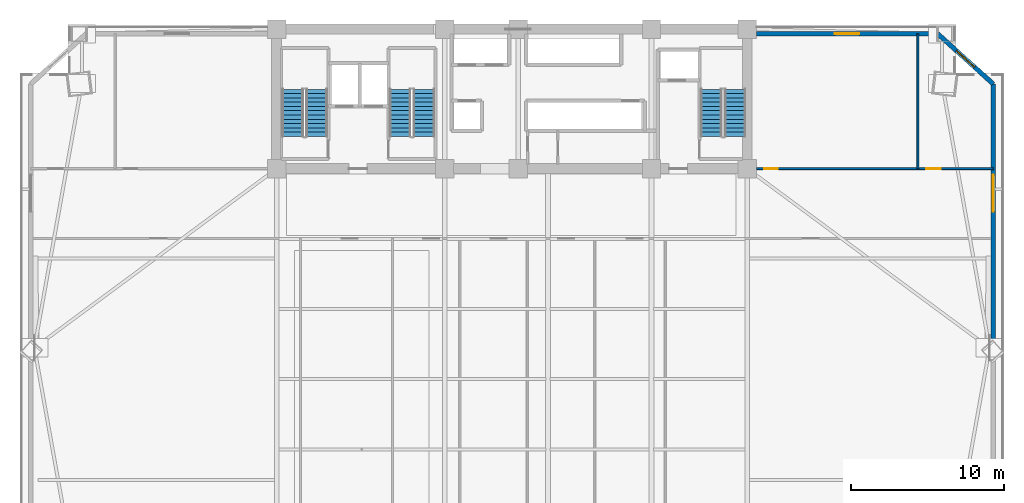
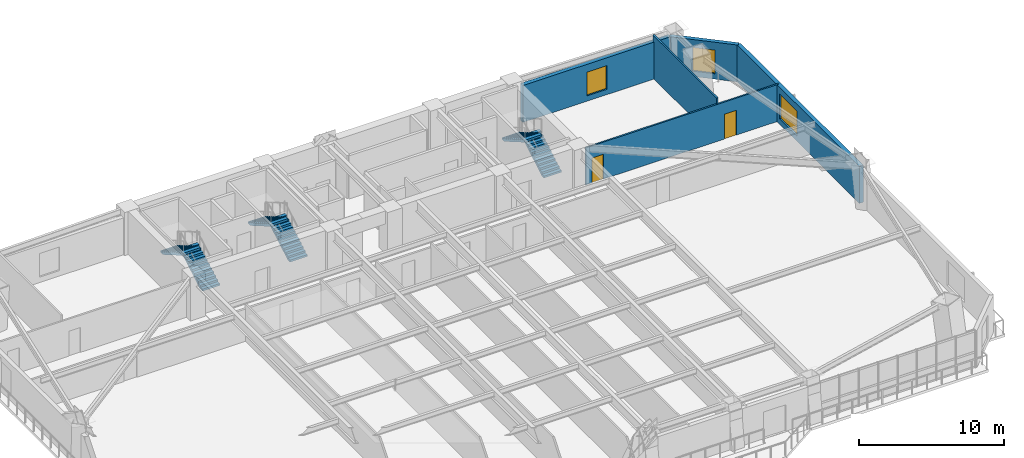
# One storey, part 12 of 18: 6 stair flights, 5 walls, 3 windows, 2 doors, 5 openings, 3 elements without a shape of their own.
"""IFC4 building model written with IfcOpenShell, lengths in metres."""

from ifc_helpers import new_model, si_unit, direction, frame, frame_2d, origin, place, context, subcontext, project, spatial, polyline, rectangle, outline, extrude, source, transform, mapped, material, layer, layer_set, type_object, element, fill, aggregate, save


model = new_model("IFC4")

# Units and contexts
model_context = context("Model", 3, precision=1e-05, world=origin(), true_north=direction((0.0, 1.0)))
body_context = subcontext(model_context, "Body", "Model", "MODEL_VIEW")
ifc_project = project(units=[si_unit("LENGTHUNIT", "METRE"), si_unit("AREAUNIT", "SQUARE_METRE"), si_unit("VOLUMEUNIT", "CUBIC_METRE"), si_unit("PLANEANGLEUNIT", "RADIAN"), si_unit("MASSUNIT", "GRAM", prefix="KILO")], contexts=[model_context])

# Site, building, storey
site_placement = place(None, origin())
site = spatial("IfcSite", under=ifc_project, at=site_placement, CompositionType="ELEMENT")
building_placement = place(site_placement, origin())
building = spatial("IfcBuilding", under=site, at=building_placement, Name="Giltprow Tower", CompositionType="ELEMENT")
storey_placement = place(building_placement, frame((0.0, 0.0, 68.89990234375)))
storey = spatial("IfcBuildingStorey", under=building, at=storey_placement, Name="L17", CompositionType="ELEMENT", Elevation=68.89990234375)

# Wall, opening, window
ifc_material_1 = material(Name="Precast concrete C40", Category="concrete")
ifc_layer_1 = layer(ifc_material_1, 0.300048828125, Name="Precast concrete C40")
ifc_layer_set_1 = layer_set([ifc_layer_1], Name="Precast concrete C40")
wall_type_1 = type_object("IfcWallType", Name="EW-NOTCH-CHAMFER-300", PredefinedType="SOLIDWALL", material=ifc_layer_set_1)
wall_1_placement = place(storey_placement, frame((66.595947265625, 42.97802734375, 0.0), z_axis=(0.0, 0.0, 1.0), x_axis=(-0.742036825769, 0.670359119579, 0.0)))
wall_1 = element("IfcWall", 1, at=wall_1_placement, inside=storey, type_object=wall_type_1, Name="L17 Corner Notch Wall NE", PredefinedType="SOLIDWALL", context=body_context, shape_type="SweptSolid", body=[
    extrude(rectangle(XDim=4.880859375, YDim=0.300048828125, at=frame_2d((2.4404296875, 0.0))), origin(), (0.0, 0.0, 1.0), 3.1201171875),
])
opening_1_placement = place(wall_1_placement, frame((1.64111328125, 0.0, 0.449951171875)))
opening_1 = element("IfcOpeningElement", 2, at=opening_1_placement, cuts=wall_1, Name="Opening WN17", PredefinedType="OPENING", context=body_context, shape_type="SweptSolid", body=[
    extrude(rectangle(XDim=1.60009765625, YDim=2.0, at=frame_2d((0.800048828125, 1.0))), frame((0.0, 0.159912109375, 0.0), z_axis=(0.0, -1.0, 0.0), x_axis=(1.0, 0.0, 0.0)), (0.0, 0.0, 1.0), 0.320068359375),
])
ifc_material_2 = material(Name="Insulated glass", Category="glass")
window_type_1 = type_object("IfcWindowType", Name="WN-COR-1600x2000", PartitioningType="SINGLE_PANEL", PredefinedType="WINDOW", material=ifc_material_2)
shared_shape_1 = source(origin(), body_context, "Body", "SweptSolid", [
    extrude(rectangle(XDim=1.60009765625, YDim=2.0, at=frame_2d((0.800048828125, 1.0))), frame((0.0, 0.030029296875, 0.0), z_axis=(0.0, -1.0, 0.0), x_axis=(1.0, 0.0, 0.0)), (0.0, 0.0, 1.0), 0.06005859375),
])
window_1_placement = place(opening_1_placement, origin())
window_1 = element("IfcWindow", 3, at=window_1_placement, inside=storey, type_object=window_type_1, Name="L17 Corner Notch Window NE", OverallHeight=2.0, OverallWidth=1.60009765625, PartitioningType="SINGLE_PANEL", PredefinedType="WINDOW", context=body_context, shape_type="MappedRepresentation", body=[
    mapped(shared_shape_1, transform((0.0, 0.0, 0.0), x_axis=(1.0, 0.0, 0.0), y_axis=(0.0, 1.0, 0.0), z_axis=(0.0, 0.0, 1.0), scale=1.0)),
])
fill(opening_1, window_1)

ifc_layer_2 = layer(ifc_material_1, 0.320068359375, Name="Precast concrete C40")
ifc_layer_set_2 = layer_set([ifc_layer_2], Name="Precast concrete C40")
wall_type_2 = type_object("IfcWallType", Name="EW-TOW-STONE-320", PredefinedType="SOLIDWALL", material=ifc_layer_set_2)
wall_2_placement = place(storey_placement, frame((66.595947265625, 25.990966796875, 0.0), z_axis=(0.0, 0.0, 1.0), x_axis=(0.0, 1.0, 0.0)))
wall_2 = element("IfcWall", 4, at=wall_2_placement, inside=storey, type_object=wall_type_2, Name="L17 E Wing Masonry Wall 2", PredefinedType="SOLIDWALL", context=body_context, shape_type="SweptSolid", body=[
    extrude(rectangle(XDim=16.987060546875, YDim=0.320068359375, at=frame_2d((8.49365234375, 0.0))), origin(), (0.0, 0.0, 1.0), 3.1201171875),
])
opening_2_placement = place(wall_2_placement, frame((8.654052734375, 0.0, 0.449951171875)))
opening_2 = element("IfcOpeningElement", 5, at=opening_2_placement, cuts=wall_2, Name="Opening WN29", PredefinedType="OPENING", context=body_context, shape_type="SweptSolid", body=[
    extrude(rectangle(XDim=2.39990234375, YDim=2.10009765625, at=frame_2d((1.199951171875, 1.050048828125))), frame((0.0, 0.169921875, 0.0), z_axis=(0.0, -1.0, 0.0), x_axis=(1.0, 0.0, 0.0)), (0.0, 0.0, 1.0), 0.340087890625),
])
window_type_2 = type_object("IfcWindowType", Name="WN-OFF-2400x2100", PartitioningType="DOUBLE_PANEL_VERTICAL", PredefinedType="WINDOW", material=ifc_material_2)
shared_shape_2 = source(origin(), body_context, "Body", "SweptSolid", [
    extrude(rectangle(XDim=2.39990234375, YDim=2.10009765625, at=frame_2d((1.199951171875, 1.050048828125))), frame((0.0, 0.030029296875, 0.0), z_axis=(0.0, -1.0, 0.0), x_axis=(1.0, 0.0, 0.0)), (0.0, 0.0, 1.0), 0.06005859375),
])
window_2_placement = place(opening_2_placement, origin())
window_2 = element("IfcWindow", 6, at=window_2_placement, inside=storey, type_object=window_type_2, Name="L17 E Wing Window 2-1", OverallHeight=2.10009765625, OverallWidth=2.39990234375, PartitioningType="SINGLE_PANEL", PredefinedType="WINDOW", context=body_context, shape_type="MappedRepresentation", body=[
    mapped(shared_shape_2, transform((0.0, 0.0, 0.0), x_axis=(1.0, 0.0, 0.0), y_axis=(0.0, 1.0, 0.0), z_axis=(0.0, 0.0, 1.0), scale=1.0)),
])
fill(opening_2, window_2)

wall_3_placement = place(storey_placement, frame((51.14990234375, 46.25, 0.0), z_axis=(0.0, 0.0, 1.0), x_axis=(1.0, 0.0, 0.0)))
wall_3 = element("IfcWall", 7, at=wall_3_placement, inside=storey, type_object=wall_type_2, Name="L17 North-East Wing Wall", PredefinedType="SOLIDWALL", context=body_context, shape_type="SweptSolid", body=[
    extrude(rectangle(XDim=11.82421875, YDim=0.320068359375, at=frame_2d((5.912109375, 0.0))), origin(), (0.0, 0.0, 1.0), 3.1201171875),
])
opening_3_placement = place(wall_3_placement, frame((5.112060546875, 0.0, 0.449951171875)))
opening_3 = element("IfcOpeningElement", 8, at=opening_3_placement, cuts=wall_3, Name="Opening WN17", PredefinedType="OPENING", context=body_context, shape_type="SweptSolid", body=[
    extrude(rectangle(XDim=1.60009765625, YDim=2.0, at=frame_2d((0.800048828125, 1.0))), frame((0.0, 0.169921875, 0.0), z_axis=(0.0, -1.0, 0.0), x_axis=(1.0, 0.0, 0.0)), (0.0, 0.0, 1.0), 0.340087890625),
])
window_3_placement = place(opening_3_placement, origin())
window_3 = element("IfcWindow", 9, at=window_3_placement, inside=storey, type_object=window_type_1, Name="L17 North-East Window", OverallHeight=2.0, OverallWidth=1.60009765625, PartitioningType="SINGLE_PANEL", PredefinedType="WINDOW", context=body_context, shape_type="MappedRepresentation", body=[
    mapped(shared_shape_1, transform((0.0, 0.0, 0.0), x_axis=(1.0, 0.0, 0.0), y_axis=(0.0, 1.0, 0.0), z_axis=(0.0, 0.0, 1.0), scale=1.0)),
])
fill(opening_3, window_3)

# Wall, openings, doors
ifc_material_3 = material(Name="Concrete C30", Category="concrete")
ifc_layer_3 = layer(ifc_material_3, 0.1298828125, Name="Concrete C30")
ifc_layer_set_3 = layer_set([ifc_layer_3], Name="Concrete C30")
wall_type_3 = type_object("IfcWallType", Name="IW-WET-130", PredefinedType="PARTITIONING", material=ifc_layer_set_3)
wall_4_placement = place(storey_placement, frame((51.14990234375, 37.449951171875, 0.0), z_axis=(0.0, 0.0, 1.0), x_axis=(1.0, 0.0, 0.0)))
wall_4 = element("IfcWall", 10, at=wall_4_placement, inside=storey, type_object=wall_type_3, Name="L17 NE Wing South Wall", PredefinedType="PARTITIONING", context=body_context, shape_type="SweptSolid", body=[
    extrude(rectangle(XDim=15.446044921875, YDim=0.1298828125, at=frame_2d((7.72314453125, 0.0))), origin(), (0.0, 0.0, 1.0), 3.125),
])
opening_4_placement = place(wall_4_placement, frame((0.5, 0.0, 0.0)))
opening_4 = element("IfcOpeningElement", 11, at=opening_4_placement, cuts=wall_4, Name="Opening ID15", PredefinedType="OPENING", context=body_context, shape_type="SweptSolid", body=[
    extrude(rectangle(XDim=0.89990234375, YDim=2.10009765625, at=frame_2d((0.449951171875, 1.050048828125))), frame((0.0, 0.074951171875, 0.0), z_axis=(0.0, -1.0, 0.0), x_axis=(1.0, 0.0, 0.0)), (0.0, 0.0, 1.0), 0.14990234375),
])
opening_5_placement = place(wall_4_placement, frame((11.087890625, 0.0, 0.0)))
opening_5 = element("IfcOpeningElement", 12, at=opening_5_placement, cuts=wall_4, Name="Opening ID11", PredefinedType="OPENING", context=body_context, shape_type="SweptSolid", body=[
    extrude(rectangle(XDim=0.949951171875, YDim=2.10009765625, at=frame_2d((0.47509765625, 1.050048828125))), frame((0.0, 0.074951171875, 0.0), z_axis=(0.0, -1.0, 0.0), x_axis=(1.0, 0.0, 0.0)), (0.0, 0.0, 1.0), 0.14990234375),
])
ifc_material_4 = material(Name="Engineered timber", Category="wood")
door_type_1 = type_object("IfcDoorType", Name="DR-WC-900", OperationType="SINGLE_SWING_LEFT", PredefinedType="DOOR", material=ifc_material_4)
shared_shape_3 = source(origin(), body_context, "Body", "SweptSolid", [
    extrude(rectangle(XDim=0.89990234375, YDim=2.10009765625, at=frame_2d((0.449951171875, 1.050048828125))), frame((0.0, 0.02490234375, 0.0), z_axis=(0.0, -1.0, 0.0), x_axis=(1.0, 0.0, 0.0)), (0.0, 0.0, 1.0), 0.050048828125),
])
door_1_placement = place(opening_4_placement, origin())
door_1 = element("IfcDoor", 13, at=door_1_placement, inside=storey, type_object=door_type_1, Name="L17 East Wing Washroom Door", OperationType="SINGLE_SWING_RIGHT", OverallHeight=2.10009765625, OverallWidth=0.89990234375, PredefinedType="DOOR", context=body_context, shape_type="MappedRepresentation", body=[
    mapped(shared_shape_3, transform((0.0, 0.0, 0.0), x_axis=(1.0, 0.0, 0.0), y_axis=(0.0, 1.0, 0.0), z_axis=(0.0, 0.0, 1.0), scale=1.0)),
])
fill(opening_4, door_1)
door_type_2 = type_object("IfcDoorType", Name="DR-ROOM-950", OperationType="SINGLE_SWING_RIGHT", PredefinedType="DOOR", material=ifc_material_4)
shared_shape_4 = source(origin(), body_context, "Body", "SweptSolid", [
    extrude(rectangle(XDim=0.949951171875, YDim=2.10009765625, at=frame_2d((0.47509765625, 1.050048828125))), frame((0.0, 0.02490234375, 0.0), z_axis=(0.0, -1.0, 0.0), x_axis=(1.0, 0.0, 0.0)), (0.0, 0.0, 1.0), 0.050048828125),
])
door_2_placement = place(opening_5_placement, origin())
door_2 = element("IfcDoor", 14, at=door_2_placement, inside=storey, type_object=door_type_2, Name="L17 East Tenant Archive Store Door", OperationType="SINGLE_SWING_LEFT", OverallHeight=2.10009765625, OverallWidth=0.949951171875, PredefinedType="DOOR", context=body_context, shape_type="MappedRepresentation", body=[
    mapped(shared_shape_4, transform((0.0, 0.0, 0.0), x_axis=(1.0, 0.0, 0.0), y_axis=(0.0, 1.0, 0.0), z_axis=(0.0, 0.0, 1.0), scale=1.0)),
])
fill(opening_5, door_2)

# Wall
wall_5_placement = place(storey_placement, frame((61.68798828125, 37.449951171875, 0.0), z_axis=(0.0, 0.0, 1.0), x_axis=(0.0, 1.0, 0.0)))
element("IfcWall", 15, at=wall_5_placement, inside=storey, type_object=wall_type_3, Name="L17 NE Wing Divider", PredefinedType="PARTITIONING", context=body_context, shape_type="SweptSolid", body=[
    extrude(rectangle(XDim=8.800048828125, YDim=0.1298828125, at=frame_2d((4.39990234375, 0.0))), origin(), (0.0, 0.0, 1.0), 3.64013671875),
])

# Stair, stair flights
ifc_material_5 = material(Name="Concrete C40", Category="concrete")
stair_type_1 = type_object("IfcStairType", Name="STR-ST-1", PredefinedType="HALF_TURN_STAIR", material=ifc_material_5)
stair_1_placement = place(storey_placement, origin())
stair_1 = element("IfcStair", 16, at=stair_1_placement, inside=storey, type_object=stair_type_1, Name="L17 Core Exit Stair ST-1", PredefinedType="HALF_TURN_STAIR")
stair_flight_type_1 = type_object("IfcStairFlightType", Name="SFL-ST-1", PredefinedType="STRAIGHT", material=ifc_material_5)
stair_flight_1_placement = place(storey_placement, frame((22.4599609375, 39.550048828125, 0.0), z_axis=(0.0, 0.0, 1.0), x_axis=(0.0, 1.0, 0.0)))
stair_flight_1 = element("IfcStairFlight", 17, at=stair_flight_1_placement, type_object=stair_flight_type_1, Name="ST-1 flight 1", NumberOfRisers=12, NumberOfTreads=11, PredefinedType="STRAIGHT", RiserHeight=0.1625, TreadLength=0.28, context=body_context, shape_type="SweptSolid", body=[
    extrude(outline(polyline([(0.0, 0.0), (0.0, 0.16259765625), (0.280029296875, 0.16259765625), (0.280029296875, 0.324951171875), (0.56005859375, 0.324951171875), (0.56005859375, 0.487548828125), (0.840087890625, 0.487548828125), (0.840087890625, 0.64990234375), (1.1201171875, 0.64990234375), (1.1201171875, 0.8125), (1.39990234375, 0.8125), (1.39990234375, 0.97509765625), (1.679931640625, 0.97509765625), (1.679931640625, 1.137451171875), (1.9599609375, 1.137451171875), (1.9599609375, 1.300048828125), (2.239990234375, 1.300048828125), (2.239990234375, 1.46240234375), (2.52001953125, 1.46240234375), (2.52001953125, 1.625), (2.800048828125, 1.625), (2.800048828125, 1.78759765625), (3.080078125, 1.78759765625), (3.080078125, 1.949951171875), (3.080078125, 1.6142578125), (0.298583984375, 0.0), (0.0, 0.0)])), frame((0.0, 0.699951171875, 0.0), z_axis=(0.0, -1.0, 0.0), x_axis=(1.0, 0.0, 0.0)), (0.0, 0.0, 1.0), 1.39990234375),
])
stair_flight_2_placement = place(storey_placement, frame((20.89990234375, 42.6298828125, 1.9501953125), z_axis=(0.0, 0.0, 1.0), x_axis=(0.0, -1.0, 0.0)))
stair_flight_2 = element("IfcStairFlight", 18, at=stair_flight_2_placement, type_object=stair_flight_type_1, Name="ST-1 flight 2", NumberOfRisers=12, NumberOfTreads=11, PredefinedType="STRAIGHT", RiserHeight=0.1625, TreadLength=0.28, context=body_context, shape_type="SweptSolid", body=[
    extrude(outline(polyline([(0.0, 0.0), (0.0, 0.16259765625), (0.280029296875, 0.16259765625), (0.280029296875, 0.324951171875), (0.56005859375, 0.324951171875), (0.56005859375, 0.487548828125), (0.840087890625, 0.487548828125), (0.840087890625, 0.64990234375), (1.1201171875, 0.64990234375), (1.1201171875, 0.8125), (1.39990234375, 0.8125), (1.39990234375, 0.97509765625), (1.679931640625, 0.97509765625), (1.679931640625, 1.137451171875), (1.9599609375, 1.137451171875), (1.9599609375, 1.300048828125), (2.239990234375, 1.300048828125), (2.239990234375, 1.46240234375), (2.52001953125, 1.46240234375), (2.52001953125, 1.625), (2.800048828125, 1.625), (2.800048828125, 1.78759765625), (3.080078125, 1.78759765625), (3.080078125, 1.949951171875), (3.080078125, 1.6142578125), (0.298583984375, 0.0), (0.0, 0.0)])), frame((0.0, 0.699951171875, 0.0), z_axis=(0.0, -1.0, 0.0), x_axis=(1.0, 0.0, 0.0)), (0.0, 0.0, 1.0), 1.39990234375),
])
aggregate(stair_1, [stair_flight_1, stair_flight_2])

stair_type_2 = type_object("IfcStairType", Name="STR-ST-2", PredefinedType="HALF_TURN_STAIR", material=ifc_material_5)
stair_2_placement = place(storey_placement, origin())
stair_2 = element("IfcStair", 19, at=stair_2_placement, inside=storey, type_object=stair_type_2, Name="L17 Core Exit Stair ST-2", PredefinedType="HALF_TURN_STAIR")
stair_flight_type_2 = type_object("IfcStairFlightType", Name="SFL-ST-2", PredefinedType="STRAIGHT", material=ifc_material_5)
stair_flight_3_placement = place(storey_placement, frame((29.4599609375, 39.550048828125, 0.0), z_axis=(0.0, 0.0, 1.0), x_axis=(0.0, 1.0, 0.0)))
stair_flight_3 = element("IfcStairFlight", 20, at=stair_flight_3_placement, type_object=stair_flight_type_2, Name="ST-2 flight 1", NumberOfRisers=12, NumberOfTreads=11, PredefinedType="STRAIGHT", RiserHeight=0.1625, TreadLength=0.28, context=body_context, shape_type="SweptSolid", body=[
    extrude(outline(polyline([(0.0, 0.0), (0.0, 0.16259765625), (0.280029296875, 0.16259765625), (0.280029296875, 0.324951171875), (0.56005859375, 0.324951171875), (0.56005859375, 0.487548828125), (0.840087890625, 0.487548828125), (0.840087890625, 0.64990234375), (1.1201171875, 0.64990234375), (1.1201171875, 0.8125), (1.39990234375, 0.8125), (1.39990234375, 0.97509765625), (1.679931640625, 0.97509765625), (1.679931640625, 1.137451171875), (1.9599609375, 1.137451171875), (1.9599609375, 1.300048828125), (2.239990234375, 1.300048828125), (2.239990234375, 1.46240234375), (2.52001953125, 1.46240234375), (2.52001953125, 1.625), (2.800048828125, 1.625), (2.800048828125, 1.78759765625), (3.080078125, 1.78759765625), (3.080078125, 1.949951171875), (3.080078125, 1.6142578125), (0.298583984375, 0.0), (0.0, 0.0)])), frame((0.0, 0.699951171875, 0.0), z_axis=(0.0, -1.0, 0.0), x_axis=(1.0, 0.0, 0.0)), (0.0, 0.0, 1.0), 1.39990234375),
])
stair_flight_4_placement = place(storey_placement, frame((27.89990234375, 42.6298828125, 1.9501953125), z_axis=(0.0, 0.0, 1.0), x_axis=(0.0, -1.0, 0.0)))
stair_flight_4 = element("IfcStairFlight", 21, at=stair_flight_4_placement, type_object=stair_flight_type_2, Name="ST-2 flight 2", NumberOfRisers=12, NumberOfTreads=11, PredefinedType="STRAIGHT", RiserHeight=0.1625, TreadLength=0.28, context=body_context, shape_type="SweptSolid", body=[
    extrude(outline(polyline([(0.0, 0.0), (0.0, 0.16259765625), (0.280029296875, 0.16259765625), (0.280029296875, 0.324951171875), (0.56005859375, 0.324951171875), (0.56005859375, 0.487548828125), (0.840087890625, 0.487548828125), (0.840087890625, 0.64990234375), (1.1201171875, 0.64990234375), (1.1201171875, 0.8125), (1.39990234375, 0.8125), (1.39990234375, 0.97509765625), (1.679931640625, 0.97509765625), (1.679931640625, 1.137451171875), (1.9599609375, 1.137451171875), (1.9599609375, 1.300048828125), (2.239990234375, 1.300048828125), (2.239990234375, 1.46240234375), (2.52001953125, 1.46240234375), (2.52001953125, 1.625), (2.800048828125, 1.625), (2.800048828125, 1.78759765625), (3.080078125, 1.78759765625), (3.080078125, 1.949951171875), (3.080078125, 1.6142578125), (0.298583984375, 0.0), (0.0, 0.0)])), frame((0.0, 0.699951171875, 0.0), z_axis=(0.0, -1.0, 0.0), x_axis=(1.0, 0.0, 0.0)), (0.0, 0.0, 1.0), 1.39990234375),
])
aggregate(stair_2, [stair_flight_3, stair_flight_4])

stair_type_3 = type_object("IfcStairType", Name="STR-ST-3", PredefinedType="HALF_TURN_STAIR", material=ifc_material_5)
stair_3_placement = place(storey_placement, origin())
stair_3 = element("IfcStair", 22, at=stair_3_placement, inside=storey, type_object=stair_type_3, Name="L17 Core Exit Stair ST-3", PredefinedType="HALF_TURN_STAIR")
stair_flight_type_3 = type_object("IfcStairFlightType", Name="SFL-ST-3", PredefinedType="STRAIGHT", material=ifc_material_5)
stair_flight_5_placement = place(storey_placement, frame((49.760009765625, 39.550048828125, 0.0), z_axis=(0.0, 0.0, 1.0), x_axis=(0.0, 1.0, 0.0)))
stair_flight_5 = element("IfcStairFlight", 23, at=stair_flight_5_placement, type_object=stair_flight_type_3, Name="ST-3 flight 1", NumberOfRisers=12, NumberOfTreads=11, PredefinedType="STRAIGHT", RiserHeight=0.1625, TreadLength=0.28, context=body_context, shape_type="SweptSolid", body=[
    extrude(outline(polyline([(0.0, 0.0), (0.0, 0.16259765625), (0.280029296875, 0.16259765625), (0.280029296875, 0.324951171875), (0.56005859375, 0.324951171875), (0.56005859375, 0.487548828125), (0.840087890625, 0.487548828125), (0.840087890625, 0.64990234375), (1.1201171875, 0.64990234375), (1.1201171875, 0.8125), (1.39990234375, 0.8125), (1.39990234375, 0.97509765625), (1.679931640625, 0.97509765625), (1.679931640625, 1.137451171875), (1.9599609375, 1.137451171875), (1.9599609375, 1.300048828125), (2.239990234375, 1.300048828125), (2.239990234375, 1.46240234375), (2.52001953125, 1.46240234375), (2.52001953125, 1.625), (2.800048828125, 1.625), (2.800048828125, 1.78759765625), (3.080078125, 1.78759765625), (3.080078125, 1.949951171875), (3.080078125, 1.6142578125), (0.298583984375, 0.0), (0.0, 0.0)])), frame((0.0, 0.699951171875, 0.0), z_axis=(0.0, -1.0, 0.0), x_axis=(1.0, 0.0, 0.0)), (0.0, 0.0, 1.0), 1.39990234375),
])
stair_flight_6_placement = place(storey_placement, frame((48.199951171875, 42.6298828125, 1.9501953125), z_axis=(0.0, 0.0, 1.0), x_axis=(0.0, -1.0, 0.0)))
stair_flight_6 = element("IfcStairFlight", 24, at=stair_flight_6_placement, type_object=stair_flight_type_3, Name="ST-3 flight 2", NumberOfRisers=12, NumberOfTreads=11, PredefinedType="STRAIGHT", RiserHeight=0.1625, TreadLength=0.28, context=body_context, shape_type="SweptSolid", body=[
    extrude(outline(polyline([(0.0, 0.0), (0.0, 0.16259765625), (0.280029296875, 0.16259765625), (0.280029296875, 0.324951171875), (0.56005859375, 0.324951171875), (0.56005859375, 0.487548828125), (0.840087890625, 0.487548828125), (0.840087890625, 0.64990234375), (1.1201171875, 0.64990234375), (1.1201171875, 0.8125), (1.39990234375, 0.8125), (1.39990234375, 0.97509765625), (1.679931640625, 0.97509765625), (1.679931640625, 1.137451171875), (1.9599609375, 1.137451171875), (1.9599609375, 1.300048828125), (2.239990234375, 1.300048828125), (2.239990234375, 1.46240234375), (2.52001953125, 1.46240234375), (2.52001953125, 1.625), (2.800048828125, 1.625), (2.800048828125, 1.78759765625), (3.080078125, 1.78759765625), (3.080078125, 1.949951171875), (3.080078125, 1.6142578125), (0.298583984375, 0.0), (0.0, 0.0)])), frame((0.0, 0.699951171875, 0.0), z_axis=(0.0, -1.0, 0.0), x_axis=(1.0, 0.0, 0.0)), (0.0, 0.0, 1.0), 1.39990234375),
])
aggregate(stair_3, [stair_flight_5, stair_flight_6])

save(model, "model.ifc")
